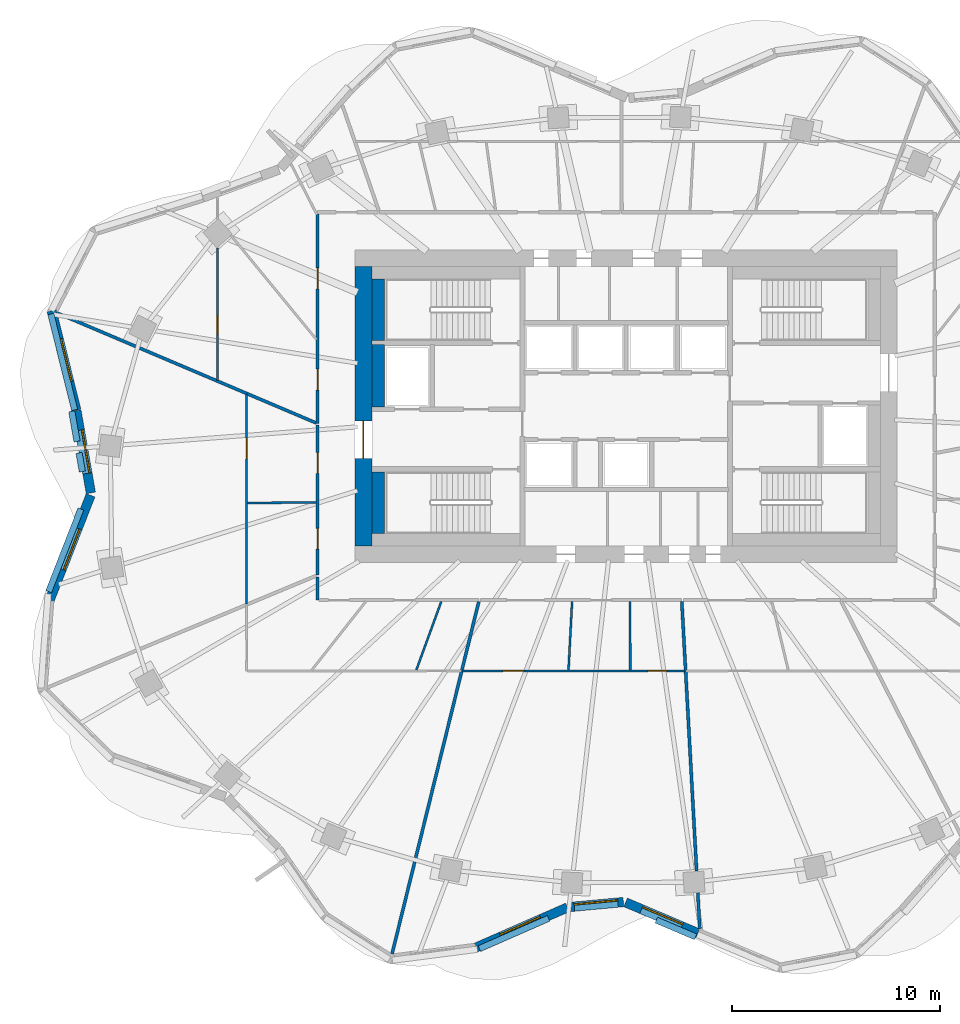
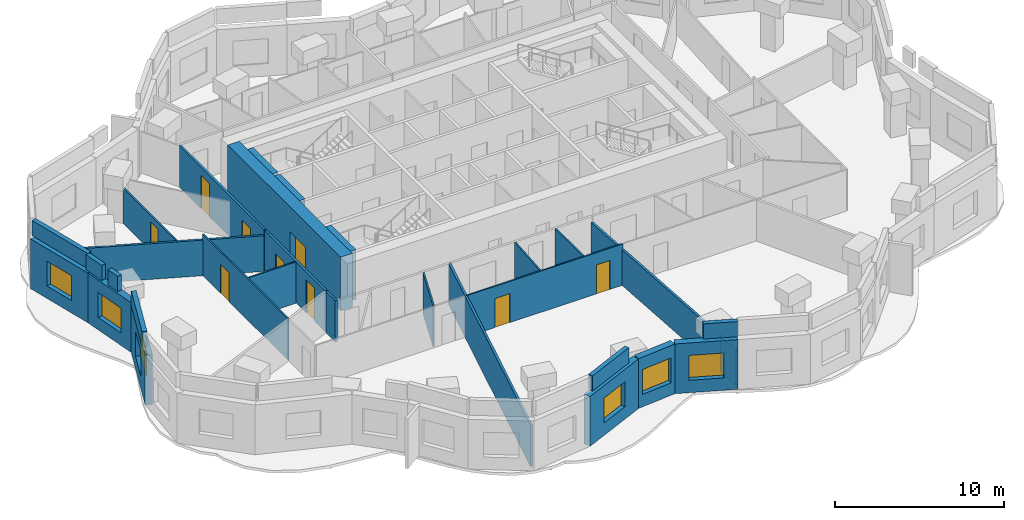
# One storey, part 4 of 11: 30 walls, 9 doors, 6 windows, 15 openings.
"""IFC4 building model written with IfcOpenShell, lengths in metres."""

from ifc_helpers import new_model, si_unit, direction, frame, frame_2d, origin, place, context, subcontext, project, spatial, rectangle, extrude, material, layer, layer_set, type_object, element, fill, save


model = new_model("IFC4")

# Units and contexts
model_context = context("Model", 3, precision=1e-05, world=origin(), true_north=direction((0.0, 1.0)))
body_context = subcontext(model_context, "Body", "Model", "MODEL_VIEW")
ifc_project = project(units=[si_unit("LENGTHUNIT", "METRE"), si_unit("AREAUNIT", "SQUARE_METRE"), si_unit("VOLUMEUNIT", "CUBIC_METRE"), si_unit("PLANEANGLEUNIT", "RADIAN"), si_unit("MASSUNIT", "GRAM", prefix="KILO")], contexts=[model_context])

# Site, building, storey
site_placement = place(None, origin())
site = spatial("IfcSite", under=ifc_project, at=site_placement, CompositionType="ELEMENT")
building_placement = place(site_placement, origin())
building = spatial("IfcBuilding", under=site, at=building_placement, Name="Rubra Terraces Tower", CompositionType="ELEMENT")
storey_placement = place(building_placement, frame((0.0, 0.0, 260.39990234375)))
storey = spatial("IfcBuildingStorey", under=building, at=storey_placement, Name="L64", CompositionType="ELEMENT", Elevation=260.39990234375)

# Wall, opening, window
ifc_material_1 = material(Name="Brick masonry red-brown", Category="masonry")
ifc_layer_1 = layer(ifc_material_1, 0.449951171875)
ifc_layer_set_1 = layer_set([ifc_layer_1], Name="Brick masonry red-brown")
wall_type_1 = type_object("IfcWallType", Name="Brick facade wall 450", PredefinedType="SOLIDWALL", material=ifc_layer_set_1)
wall_1_placement = place(storey_placement, frame((-27.552001953125, 9.07177734375, 0.0), z_axis=(0.0, 0.0, 1.0), x_axis=(0.240629941406, -0.970616933347, 0.0)))
wall_1 = element("IfcWall", 1, at=wall_1_placement, inside=storey, type_object=wall_type_1, Name="Facade wall L64 bay 19", PredefinedType="SOLIDWALL", context=body_context, shape_type="SweptSolid", body=[
    extrude(rectangle(XDim=4.91455078125, YDim=0.449951171875, at=frame_2d((2.457275390625, 0.0))), origin(), (0.0, 0.0, 1.0), 3.60009765625),
])
opening_1_placement = place(wall_1_placement, frame((1.407470703125, 0.0, 0.89990234375)))
opening_1 = element("IfcOpeningElement", 2, at=opening_1_placement, cuts=wall_1, Name="Opening W1Z", PredefinedType="OPENING", context=body_context, shape_type="SweptSolid", body=[
    extrude(rectangle(XDim=2.10009765625, YDim=1.800048828125, at=frame_2d((1.050048828125, 0.89990234375))), frame((0.0, 0.23486328125, 0.0), z_axis=(0.0, -1.0, 0.0), x_axis=(1.0, 0.0, 0.0)), (0.0, 0.0, 1.0), 0.469970703125),
])
ifc_material_2 = material(Name="Clear glass in aluminium frame", Category="aluminium")
window_type = type_object("IfcWindowType", Name="Fixed deep-set window under transfer level 2100 x 1800", PartitioningType="SINGLE_PANEL", PredefinedType="WINDOW", material=ifc_material_2)
window_1_placement = place(opening_1_placement, origin())
window_1 = element("IfcWindow", 3, at=window_1_placement, inside=storey, type_object=window_type, Name="Window L64 bay 19", OverallHeight=1.800048828125, OverallWidth=2.10009765625, PartitioningType="SINGLE_PANEL", PredefinedType="WINDOW", context=body_context, shape_type="SweptSolid", body=[
    extrude(rectangle(XDim=2.10009765625, YDim=1.800048828125, at=frame_2d((1.050048828125, 0.89990234375))), frame((0.0, 0.135009765625, 0.0), z_axis=(0.0, -1.0, 0.0), x_axis=(1.0, 0.0, 0.0)), (0.0, 0.0, 1.0), 0.06005859375),
])
fill(opening_1, window_1)

wall_2_placement = place(storey_placement, frame((-26.3662109375, 4.28466796875, 0.0), z_axis=(0.0, 0.0, 1.0), x_axis=(0.172902168926, -0.984939003178, 0.0)))
wall_2 = element("IfcWall", 4, at=wall_2_placement, inside=storey, type_object=wall_type_1, Name="Facade wall L64 bay 20", PredefinedType="SOLIDWALL", context=body_context, shape_type="SweptSolid", body=[
    extrude(rectangle(XDim=4.005859375, YDim=0.449951171875, at=frame_2d((2.0029296875, 0.0))), origin(), (0.0, 0.0, 1.0), 3.60009765625),
])
opening_2_placement = place(wall_2_placement, frame((0.952880859375, 0.0, 0.89990234375)))
opening_2 = element("IfcOpeningElement", 5, at=opening_2_placement, cuts=wall_2, Name="Opening W1Z", PredefinedType="OPENING", context=body_context, shape_type="SweptSolid", body=[
    extrude(rectangle(XDim=2.10009765625, YDim=1.800048828125, at=frame_2d((1.050048828125, 0.89990234375))), frame((0.0, 0.23486328125, 0.0), z_axis=(0.0, -1.0, 0.0), x_axis=(1.0, 0.0, 0.0)), (0.0, 0.0, 1.0), 0.469970703125),
])
window_2_placement = place(opening_2_placement, origin())
window_2 = element("IfcWindow", 6, at=window_2_placement, inside=storey, type_object=window_type, Name="Window L64 bay 20", OverallHeight=1.800048828125, OverallWidth=2.10009765625, PartitioningType="SINGLE_PANEL", PredefinedType="WINDOW", context=body_context, shape_type="SweptSolid", body=[
    extrude(rectangle(XDim=2.10009765625, YDim=1.800048828125, at=frame_2d((1.050048828125, 0.89990234375))), frame((0.0, 0.135009765625, 0.0), z_axis=(0.0, -1.0, 0.0), x_axis=(1.0, 0.0, 0.0)), (0.0, 0.0, 1.0), 0.06005859375),
])
fill(opening_2, window_2)

wall_3_placement = place(storey_placement, frame((-25.68701171875, 0.226318359375, 0.0), z_axis=(0.0, 0.0, 1.0), x_axis=(-0.363500194409, -0.931594122279, 0.0)))
wall_3 = element("IfcWall", 7, at=wall_3_placement, inside=storey, type_object=wall_type_1, Name="Facade wall L64 bay 21", PredefinedType="SOLIDWALL", context=body_context, shape_type="SweptSolid", body=[
    extrude(rectangle(XDim=5.498779296875, YDim=0.449951171875, at=frame_2d((2.74951171875, 0.0))), origin(), (0.0, 0.0, 1.0), 3.60009765625),
])
opening_3_placement = place(wall_3_placement, frame((1.69921875, 0.0, 0.89990234375)))
opening_3 = element("IfcOpeningElement", 8, at=opening_3_placement, cuts=wall_3, Name="Opening W1Z", PredefinedType="OPENING", context=body_context, shape_type="SweptSolid", body=[
    extrude(rectangle(XDim=2.10009765625, YDim=1.800048828125, at=frame_2d((1.050048828125, 0.89990234375))), frame((0.0, 0.23486328125, 0.0), z_axis=(0.0, -1.0, 0.0), x_axis=(1.0, 0.0, 0.0)), (0.0, 0.0, 1.0), 0.469970703125),
])
window_3_placement = place(opening_3_placement, origin())
window_3 = element("IfcWindow", 9, at=window_3_placement, inside=storey, type_object=window_type, Name="Window L64 bay 21", OverallHeight=1.800048828125, OverallWidth=2.10009765625, PartitioningType="SINGLE_PANEL", PredefinedType="WINDOW", context=body_context, shape_type="SweptSolid", body=[
    extrude(rectangle(XDim=2.10009765625, YDim=1.800048828125, at=frame_2d((1.050048828125, 0.89990234375))), frame((0.0, 0.135009765625, 0.0), z_axis=(0.0, -1.0, 0.0), x_axis=(1.0, 0.0, 0.0)), (0.0, 0.0, 1.0), 0.06005859375),
])
fill(opening_3, window_3)

wall_4_placement = place(storey_placement, frame((-7.27587890625, -21.498046875, 0.0), z_axis=(0.0, 0.0, 1.0), x_axis=(0.915872941312, 0.401468249519, 0.0)))
wall_4 = element("IfcWall", 10, at=wall_4_placement, inside=storey, type_object=wall_type_1, Name="Facade wall L64 bay 29", PredefinedType="SOLIDWALL", context=body_context, shape_type="SweptSolid", body=[
    extrude(rectangle(XDim=4.870361328125, YDim=0.449951171875, at=frame_2d((2.43505859375, 0.0))), origin(), (0.0, 0.0, 1.0), 3.60009765625),
])
opening_4_placement = place(wall_4_placement, frame((1.38525390625, 0.0, 0.89990234375)))
opening_4 = element("IfcOpeningElement", 11, at=opening_4_placement, cuts=wall_4, Name="Opening W1Z", PredefinedType="OPENING", context=body_context, shape_type="SweptSolid", body=[
    extrude(rectangle(XDim=2.10009765625, YDim=1.800048828125, at=frame_2d((1.050048828125, 0.89990234375))), frame((0.0, 0.23486328125, 0.0), z_axis=(0.0, -1.0, 0.0), x_axis=(1.0, 0.0, 0.0)), (0.0, 0.0, 1.0), 0.469970703125),
])
window_4_placement = place(opening_4_placement, origin())
window_4 = element("IfcWindow", 12, at=window_4_placement, inside=storey, type_object=window_type, Name="Window L64 bay 29", OverallHeight=1.800048828125, OverallWidth=2.10009765625, PartitioningType="SINGLE_PANEL", PredefinedType="WINDOW", context=body_context, shape_type="SweptSolid", body=[
    extrude(rectangle(XDim=2.10009765625, YDim=1.800048828125, at=frame_2d((1.050048828125, 0.89990234375))), frame((0.0, 0.135009765625, 0.0), z_axis=(0.0, -1.0, 0.0), x_axis=(1.0, 0.0, 0.0)), (0.0, 0.0, 1.0), 0.06005859375),
])
fill(opening_4, window_4)

wall_5_placement = place(storey_placement, frame((-2.745361328125, -19.52490234375, 0.0), z_axis=(0.0, 0.0, 1.0), x_axis=(0.995768774275, 0.091894222771, 0.0)))
wall_5 = element("IfcWall", 13, at=wall_5_placement, inside=storey, type_object=wall_type_1, Name="Facade wall L64 bay 30", PredefinedType="SOLIDWALL", context=body_context, shape_type="SweptSolid", body=[
    extrude(rectangle(XDim=2.624755859375, YDim=0.449951171875, at=frame_2d((1.3125, 0.0))), origin(), (0.0, 0.0, 1.0), 3.60009765625),
])
opening_5_placement = place(wall_5_placement, frame((0.262451171875, 0.0, 0.89990234375)))
opening_5 = element("IfcOpeningElement", 14, at=opening_5_placement, cuts=wall_5, Name="Opening W1Z", PredefinedType="OPENING", context=body_context, shape_type="SweptSolid", body=[
    extrude(rectangle(XDim=2.10009765625, YDim=1.800048828125, at=frame_2d((1.050048828125, 0.89990234375))), frame((0.0, 0.23486328125, 0.0), z_axis=(0.0, -1.0, 0.0), x_axis=(1.0, 0.0, 0.0)), (0.0, 0.0, 1.0), 0.469970703125),
])
window_5_placement = place(opening_5_placement, origin())
window_5 = element("IfcWindow", 15, at=window_5_placement, inside=storey, type_object=window_type, Name="Window L64 bay 30", OverallHeight=1.800048828125, OverallWidth=2.10009765625, PartitioningType="SINGLE_PANEL", PredefinedType="WINDOW", context=body_context, shape_type="SweptSolid", body=[
    extrude(rectangle(XDim=2.10009765625, YDim=1.800048828125, at=frame_2d((1.050048828125, 0.89990234375))), frame((0.0, 0.135009765625, 0.0), z_axis=(0.0, -1.0, 0.0), x_axis=(1.0, 0.0, 0.0)), (0.0, 0.0, 1.0), 0.06005859375),
])
fill(opening_5, window_5)

wall_6_placement = place(storey_placement, frame((-0.0263671875, -19.29931640625, 0.0), z_axis=(0.0, 0.0, 1.0), x_axis=(0.920040408927, -0.391823488245, 0.0)))
wall_6 = element("IfcWall", 16, at=wall_6_placement, inside=storey, type_object=wall_type_1, Name="Facade wall L64 bay 31", PredefinedType="SOLIDWALL", context=body_context, shape_type="SweptSolid", body=[
    extrude(rectangle(XDim=3.769775390625, YDim=0.449951171875, at=frame_2d((1.884765625, 0.0))), origin(), (0.0, 0.0, 1.0), 3.60009765625),
])
opening_6_placement = place(wall_6_placement, frame((0.8349609375, 0.0, 0.89990234375)))
opening_6 = element("IfcOpeningElement", 17, at=opening_6_placement, cuts=wall_6, Name="Opening W1Z", PredefinedType="OPENING", context=body_context, shape_type="SweptSolid", body=[
    extrude(rectangle(XDim=2.10009765625, YDim=1.800048828125, at=frame_2d((1.050048828125, 0.89990234375))), frame((0.0, 0.23486328125, 0.0), z_axis=(0.0, -1.0, 0.0), x_axis=(1.0, 0.0, 0.0)), (0.0, 0.0, 1.0), 0.469970703125),
])
window_6_placement = place(opening_6_placement, origin())
window_6 = element("IfcWindow", 18, at=window_6_placement, inside=storey, type_object=window_type, Name="Window L64 bay 31", OverallHeight=1.800048828125, OverallWidth=2.10009765625, PartitioningType="SINGLE_PANEL", PredefinedType="WINDOW", context=body_context, shape_type="SweptSolid", body=[
    extrude(rectangle(XDim=2.10009765625, YDim=1.800048828125, at=frame_2d((1.050048828125, 0.89990234375))), frame((0.0, 0.135009765625, 0.0), z_axis=(0.0, -1.0, 0.0), x_axis=(1.0, 0.0, 0.0)), (0.0, 0.0, 1.0), 0.06005859375),
])
fill(opening_6, window_6)

# Walls
ifc_layer_2 = layer(ifc_material_1, 0.300048828125)
ifc_layer_set_2 = layer_set([ifc_layer_2], Name="Brick masonry red-brown")
wall_type_2 = type_object("IfcWallType", Name="Brick parapet 300", PredefinedType="PARAPET", material=ifc_layer_set_2)
wall_7_placement = place(storey_placement, frame((-27.591796875, 8.9208984375, 3.900146484375), z_axis=(0.0, 0.0, 1.0), x_axis=(0.240669381496, -0.970607154729, 0.0)))
element("IfcWall", 19, at=wall_7_placement, inside=storey, type_object=wall_type_2, Name="Parapet L64 bay 19", PredefinedType="PARAPET", context=body_context, shape_type="SweptSolid", body=[
    extrude(rectangle(XDim=4.741455078125, YDim=0.300048828125, at=frame_2d((2.37060546875, 0.0))), origin(), (0.0, 0.0, 1.0), 1.099853515625),
])
wall_8_placement = place(storey_placement, frame((-26.589111328125, 4.253662109375, 3.900146484375), z_axis=(0.0, 0.0, 1.0), x_axis=(0.17277677015, -0.984961008211, 0.0)))
element("IfcWall", 20, at=wall_8_placement, inside=storey, type_object=wall_type_2, Name="Parapet L64 bay 20", PredefinedType="PARAPET", context=body_context, shape_type="SweptSolid", body=[
    extrude(rectangle(XDim=1.4638671875, YDim=0.300048828125, at=frame_2d((0.73193359375, 0.0))), origin(), (0.0, 0.0, 1.0), 1.099853515625),
])
wall_9_placement = place(storey_placement, frame((-26.2392578125, 2.260009765625, 3.900146484375), z_axis=(0.0, 0.0, 1.0), x_axis=(0.172849805857, -0.984948193874, 0.0)))
element("IfcWall", 21, at=wall_9_placement, inside=storey, type_object=wall_type_2, Name="Parapet L64 bay 20.2", PredefinedType="PARAPET", context=body_context, shape_type="SweptSolid", body=[
    extrude(rectangle(XDim=0.908203125, YDim=0.300048828125, at=frame_2d((0.4541015625, 0.0))), origin(), (0.0, 0.0, 1.0), 1.099853515625),
])
wall_10_placement = place(storey_placement, frame((-26.149658203125, -0.429443359375, 3.900146484375), z_axis=(0.0, 0.0, 1.0), x_axis=(-0.36347212441, -0.931605074469, 0.0)))
element("IfcWall", 22, at=wall_10_placement, inside=storey, type_object=wall_type_2, Name="Parapet L64 bay 21", PredefinedType="PARAPET", context=body_context, shape_type="SweptSolid", body=[
    extrude(rectangle(XDim=4.259765625, YDim=0.300048828125, at=frame_2d((2.1298828125, 0.0))), origin(), (0.0, 0.0, 1.0), 1.099853515625),
])
wall_11_placement = place(storey_placement, frame((-7.039306640625, -21.519287109375, 3.900146484375), z_axis=(0.0, 0.0, 1.0), x_axis=(0.915895948183, 0.401415759659, 0.0)))
element("IfcWall", 23, at=wall_11_placement, inside=storey, type_object=wall_type_2, Name="Parapet L64 bay 29", PredefinedType="PARAPET", context=body_context, shape_type="SweptSolid", body=[
    extrude(rectangle(XDim=3.62548828125, YDim=0.300048828125, at=frame_2d((1.812744140625, 0.0))), origin(), (0.0, 0.0, 1.0), 1.099853515625),
])
wall_12_placement = place(storey_placement, frame((1.44580078125, -20.14892578125, 3.900146484375), z_axis=(0.0, 0.0, 1.0), x_axis=(0.920058903695, -0.391780057854, 0.0)))
element("IfcWall", 24, at=wall_12_placement, inside=storey, type_object=wall_type_2, Name="Parapet L64 bay 31", PredefinedType="PARAPET", context=body_context, shape_type="SweptSolid", body=[
    extrude(rectangle(XDim=2.05322265625, YDim=0.300048828125, at=frame_2d((1.026611328125, 0.0))), origin(), (0.0, 0.0, 1.0), 1.099853515625),
])

# Wall, opening, door
ifc_material_3 = material(Name="Concrete C50", Category="concrete")
ifc_layer_3 = layer(ifc_material_3, 0.800048828125)
ifc_layer_set_3 = layer_set([ifc_layer_3], Name="Concrete C50")
wall_type_3 = type_object("IfcWallType", Name="CORE WALL 800 C50", PredefinedType="SHEAR", material=ifc_layer_set_3)
wall_13_placement = place(storey_placement, frame((-12.60009765625, -2.199951171875, 0.0), z_axis=(0.0, 0.0, 1.0), x_axis=(0.0, 1.0, 0.0)))
wall_13 = element("IfcWall", 25, at=wall_13_placement, inside=storey, type_object=wall_type_3, Name="CORE WALL W L64", PredefinedType="SHEAR", context=body_context, shape_type="SweptSolid", body=[
    extrude(rectangle(XDim=13.39990234375, YDim=0.800048828125, at=frame_2d((6.699951171875, 0.0))), origin(), (0.0, 0.0, 1.0), 3.900146484375),
])
opening_7_placement = place(wall_13_placement, frame((4.199951171875, 0.0, 0.0)))
opening_7 = element("IfcOpeningElement", 26, at=opening_7_placement, cuts=wall_13, Name="Opening L64.C01", PredefinedType="OPENING", context=body_context, shape_type="SweptSolid", body=[
    extrude(rectangle(XDim=1.800048828125, YDim=2.10009765625, at=frame_2d((0.89990234375, 1.050048828125))), frame((0.0, 0.409912109375, 0.0), z_axis=(0.0, -1.0, 0.0), x_axis=(1.0, 0.0, 0.0)), (0.0, 0.0, 1.0), 0.820068359375),
])
ifc_material_4 = material(Name="Painted steel", Category="steel")
door_type_1 = type_object("IfcDoorType", Name="Fire door 1800x2100 double", OperationType="NOTDEFINED", PredefinedType="DOOR", material=ifc_material_4)
door_1_placement = place(opening_7_placement, origin())
door_1 = element("IfcDoor", 27, at=door_1_placement, inside=storey, type_object=door_type_1, Name="Core entrance door FF1", OperationType="DOUBLE_DOOR_SINGLE_SWING", OverallHeight=2.10009765625, OverallWidth=1.800048828125, PredefinedType="DOOR", context=body_context, shape_type="SweptSolid", body=[
    extrude(rectangle(XDim=1.800048828125, YDim=2.10009765625, at=frame_2d((0.89990234375, 1.050048828125))), frame((0.0, 0.02490234375, 0.0), z_axis=(0.0, -1.0, 0.0), x_axis=(1.0, 0.0, 0.0)), (0.0, 0.0, 1.0), 0.050048828125),
])
fill(opening_7, door_1)

# Wall, openings, doors
ifc_material_5 = material(Name="Plasterboard on steel stud, mineral wool infill", Category="steel")
ifc_layer_4 = layer(ifc_material_5, 0.14990234375)
ifc_layer_set_4 = layer_set([ifc_layer_4], Name="Plasterboard on steel stud, mineral wool infill")
wall_type_4 = type_object("IfcWallType", Name="CORRIDOR PARTITION 150", PredefinedType="PARTITIONING", material=ifc_layer_set_4)
wall_14_placement = place(storey_placement, frame((-14.800048828125, 13.72509765625, 0.0), z_axis=(0.0, 0.0, 1.0), x_axis=(0.0, -1.0, 0.0)))
wall_14 = element("IfcWall", 28, at=wall_14_placement, inside=storey, type_object=wall_type_4, Name="PARTITION", PredefinedType="PARTITIONING", context=body_context, shape_type="SweptSolid", body=[
    extrude(rectangle(XDim=10.059326171875, YDim=0.14990234375, at=frame_2d((5.02978515625, 0.0))), origin(), (0.0, 0.0, 1.0), 2.984130859375),
])
opening_8_placement = place(wall_14_placement, frame((2.595947265625, 0.0, 0.0)))
opening_8 = element("IfcOpeningElement", 29, at=opening_8_placement, cuts=wall_14, Name="Opening 64-111", PredefinedType="OPENING", context=body_context, shape_type="SweptSolid", body=[
    extrude(rectangle(XDim=1.0, YDim=2.39990234375, at=frame_2d((0.5, 1.199951171875))), frame((0.0, 0.0849609375, 0.0), z_axis=(0.0, -1.0, 0.0), x_axis=(1.0, 0.0, 0.0)), (0.0, 0.0, 1.0), 0.169921875),
])
opening_9_placement = place(wall_14_placement, frame((7.449951171875, 0.0, 0.0)))
opening_9 = element("IfcOpeningElement", 30, at=opening_9_placement, cuts=wall_14, Name="Opening 64-136", PredefinedType="OPENING", context=body_context, shape_type="SweptSolid", body=[
    extrude(rectangle(XDim=1.0, YDim=2.10009765625, at=frame_2d((0.5, 1.050048828125))), frame((0.0, 0.0849609375, 0.0), z_axis=(0.0, -1.0, 0.0), x_axis=(1.0, 0.0, 0.0)), (0.0, 0.0, 1.0), 0.169921875),
])
ifc_material_6 = material(Name="Glazed aluminium meeting door leaf", Category="aluminium")
door_type_2 = type_object("IfcDoorType", Name="MEETING ROOM GLAZED DOOR 1000 X 2400", OperationType="SINGLE_SWING_LEFT", PredefinedType="DOOR", material=ifc_material_6)
door_2_placement = place(opening_8_placement, origin())
door_2 = element("IfcDoor", 31, at=door_2_placement, inside=storey, type_object=door_type_2, Name="DOOR 64-111", OperationType="SINGLE_SWING_RIGHT", OverallHeight=2.39990234375, OverallWidth=1.0, PredefinedType="DOOR", context=body_context, shape_type="SweptSolid", body=[
    extrude(rectangle(XDim=1.0, YDim=2.39990234375, at=frame_2d((0.5, 1.199951171875))), frame((0.0, 0.02490234375, 0.0), z_axis=(0.0, -1.0, 0.0), x_axis=(1.0, 0.0, 0.0)), (0.0, 0.0, 1.0), 0.050048828125),
])
fill(opening_8, door_2)
ifc_material_7 = material(Name="Painted timber door leaf", Category="wood")
door_type_3 = type_object("IfcDoorType", Name="ROOM DOOR 1000 X 2100", OperationType="SINGLE_SWING_LEFT", PredefinedType="DOOR", material=ifc_material_7)
door_3_placement = place(opening_9_placement, origin())
door_3 = element("IfcDoor", 32, at=door_3_placement, inside=storey, type_object=door_type_3, Name="DOOR 64-136", OperationType="SINGLE_SWING_RIGHT", OverallHeight=2.10009765625, OverallWidth=1.0, PredefinedType="DOOR", context=body_context, shape_type="SweptSolid", body=[
    extrude(rectangle(XDim=1.0, YDim=2.10009765625, at=frame_2d((0.5, 1.050048828125))), frame((0.0, 0.02490234375, 0.0), z_axis=(0.0, -1.0, 0.0), x_axis=(1.0, 0.0, 0.0)), (0.0, 0.0, 1.0), 0.050048828125),
])
fill(opening_9, door_3)

wall_15_placement = place(storey_placement, frame((-14.800048828125, 3.5908203125, 0.0), z_axis=(0.0, 0.0, 1.0), x_axis=(0.0, -1.0, 0.0)))
wall_15 = element("IfcWall", 33, at=wall_15_placement, inside=storey, type_object=wall_type_4, Name="PARTITION", PredefinedType="PARTITIONING", context=body_context, shape_type="SweptSolid", body=[
    extrude(rectangle(XDim=7.197021484375, YDim=0.14990234375, at=frame_2d((3.5986328125, 0.0))), origin(), (0.0, 0.0, 1.0), 2.984130859375),
])
opening_10_placement = place(wall_15_placement, frame((1.31591796875, 0.0, 0.0)))
opening_10 = element("IfcOpeningElement", 34, at=opening_10_placement, cuts=wall_15, Name="Opening 64-113", PredefinedType="OPENING", context=body_context, shape_type="SweptSolid", body=[
    extrude(rectangle(XDim=1.0, YDim=2.10009765625, at=frame_2d((0.5, 1.050048828125))), frame((0.0, 0.0849609375, 0.0), z_axis=(0.0, -1.0, 0.0), x_axis=(1.0, 0.0, 0.0)), (0.0, 0.0, 1.0), 0.169921875),
])
opening_11_placement = place(wall_15_placement, frame((4.950927734375, 0.0, 0.0)))
opening_11 = element("IfcOpeningElement", 35, at=opening_11_placement, cuts=wall_15, Name="Opening 64-115", PredefinedType="OPENING", context=body_context, shape_type="SweptSolid", body=[
    extrude(rectangle(XDim=1.0, YDim=2.39990234375, at=frame_2d((0.5, 1.199951171875))), frame((0.0, 0.0849609375, 0.0), z_axis=(0.0, -1.0, 0.0), x_axis=(1.0, 0.0, 0.0)), (0.0, 0.0, 1.0), 0.169921875),
])
door_4_placement = place(opening_11_placement, origin())
door_4 = element("IfcDoor", 36, at=door_4_placement, inside=storey, type_object=door_type_2, Name="DOOR 64-115", OperationType="SINGLE_SWING_RIGHT", OverallHeight=2.39990234375, OverallWidth=1.0, PredefinedType="DOOR", context=body_context, shape_type="SweptSolid", body=[
    extrude(rectangle(XDim=1.0, YDim=2.39990234375, at=frame_2d((0.5, 1.199951171875))), frame((0.0, 0.02490234375, 0.0), z_axis=(0.0, -1.0, 0.0), x_axis=(1.0, 0.0, 0.0)), (0.0, 0.0, 1.0), 0.050048828125),
])
fill(opening_11, door_4)
door_5_placement = place(opening_10_placement, origin())
door_5 = element("IfcDoor", 37, at=door_5_placement, inside=storey, type_object=door_type_3, Name="DOOR 64-113", OperationType="SINGLE_SWING_RIGHT", OverallHeight=2.10009765625, OverallWidth=1.0, PredefinedType="DOOR", context=body_context, shape_type="SweptSolid", body=[
    extrude(rectangle(XDim=1.0, YDim=2.10009765625, at=frame_2d((0.5, 1.050048828125))), frame((0.0, 0.02490234375, 0.0), z_axis=(0.0, -1.0, 0.0), x_axis=(1.0, 0.0, 0.0)), (0.0, 0.0, 1.0), 0.050048828125),
])
fill(opening_10, door_5)

# Walls
wall_16_placement = place(storey_placement, frame((-14.800048828125, -3.68115234375, 0.0), z_axis=(0.0, 0.0, 1.0), x_axis=(0.0, -1.0, 0.0)))
element("IfcWall", 38, at=wall_16_placement, inside=storey, type_object=wall_type_4, Name="PARTITION", PredefinedType="PARTITIONING", context=body_context, shape_type="SweptSolid", body=[
    extrude(rectangle(XDim=1.118896484375, YDim=0.14990234375, at=frame_2d((0.5595703125, 0.0))), origin(), (0.0, 0.0, 1.0), 2.984130859375),
])
ifc_material_8 = material(Name="Concrete C40", Category="concrete")
ifc_layer_5 = layer(ifc_material_8, 0.60009765625)
ifc_layer_set_5 = layer_set([ifc_layer_5], Name="Concrete C40")
wall_type_5 = type_object("IfcWallType", Name="Core lining wall 600 concrete", PredefinedType="SOLIDWALL", material=ifc_layer_set_5)
wall_17_placement = place(storey_placement, frame((-11.89990234375, -1.60009765625, 0.0), z_axis=(0.0, 0.0, 1.0), x_axis=(0.0, 1.0, 0.0)))
element("IfcWall", 39, at=wall_17_placement, inside=storey, type_object=wall_type_5, Name="CORE LINING WALL L64", PredefinedType="SOLIDWALL", context=body_context, shape_type="SweptSolid", body=[
    extrude(rectangle(XDim=2.9501953125, YDim=0.60009765625, at=frame_2d((1.47509765625, 0.0))), origin(), (0.0, 0.0, 1.0), 3.60009765625),
])
wall_18_placement = place(storey_placement, frame((-11.89990234375, 4.449951171875, 0.0), z_axis=(0.0, 0.0, 1.0), x_axis=(0.0, 1.0, 0.0)))
element("IfcWall", 40, at=wall_18_placement, inside=storey, type_object=wall_type_5, Name="CORE LINING WALL L64", PredefinedType="SOLIDWALL", context=body_context, shape_type="SweptSolid", body=[
    extrude(rectangle(XDim=3.0, YDim=0.60009765625, at=frame_2d((1.5, 0.0))), origin(), (0.0, 0.0, 1.0), 3.60009765625),
])
wall_19_placement = place(storey_placement, frame((-11.89990234375, 7.64990234375, 0.0), z_axis=(0.0, 0.0, 1.0), x_axis=(0.0, 1.0, 0.0)))
element("IfcWall", 41, at=wall_19_placement, inside=storey, type_object=wall_type_5, Name="CORE LINING WALL L64", PredefinedType="SOLIDWALL", context=body_context, shape_type="SweptSolid", body=[
    extrude(rectangle(XDim=2.9501953125, YDim=0.60009765625, at=frame_2d((1.47509765625, 0.0))), origin(), (0.0, 0.0, 1.0), 3.60009765625),
])

# Wall, opening, door
ifc_material_9 = material(Name="Plasterboard on steel stud", Category="steel")
ifc_layer_6 = layer(ifc_material_9, 0.10009765625)
ifc_layer_set_6 = layer_set([ifc_layer_6], Name="Plasterboard on steel stud")
wall_type_6 = type_object("IfcWallType", Name="ROOM PARTITION 100", PredefinedType="PARTITIONING", material=ifc_layer_set_6)
wall_20_placement = place(storey_placement, frame((-18.199951171875, -4.99853515625, 0.0), z_axis=(0.0, 0.0, 1.0), x_axis=(0.0, 1.0, 0.0)))
wall_20 = element("IfcWall", 42, at=wall_20_placement, inside=storey, type_object=wall_type_6, Name="PARTITION", PredefinedType="PARTITIONING", context=body_context, shape_type="SweptSolid", body=[
    extrude(rectangle(XDim=10.085205078125, YDim=0.10009765625, at=frame_2d((5.04248046875, 0.0))), origin(), (0.0, 0.0, 1.0), 2.984130859375),
])
opening_12_placement = place(wall_20_placement, frame((6.971923828125, 0.0, 0.0)))
opening_12 = element("IfcOpeningElement", 43, at=opening_12_placement, cuts=wall_20, Name="Opening 64-114", PredefinedType="OPENING", context=body_context, shape_type="SweptSolid", body=[
    extrude(rectangle(XDim=1.0, YDim=2.10009765625, at=frame_2d((0.5, 1.050048828125))), frame((0.0, 0.06005859375, 0.0), z_axis=(0.0, -1.0, 0.0), x_axis=(1.0, 0.0, 0.0)), (0.0, 0.0, 1.0), 0.1201171875),
])
door_6_placement = place(opening_12_placement, origin())
door_6 = element("IfcDoor", 44, at=door_6_placement, inside=storey, type_object=door_type_3, Name="DOOR 64-114", OperationType="SINGLE_SWING_LEFT", OverallHeight=2.10009765625, OverallWidth=1.0, PredefinedType="DOOR", context=body_context, shape_type="SweptSolid", body=[
    extrude(rectangle(XDim=1.0, YDim=2.10009765625, at=frame_2d((0.5, 1.050048828125))), frame((0.0, 0.02490234375, 0.0), z_axis=(0.0, -1.0, 0.0), x_axis=(1.0, 0.0, 0.0)), (0.0, 0.0, 1.0), 0.050048828125),
])
fill(opening_12, door_6)

# Walls
wall_21_placement = place(storey_placement, frame((-14.875, -0.115966796875, 0.0), z_axis=(0.0, 0.0, 1.0), x_axis=(-0.999964519709, -0.008423735704, 0.0)))
element("IfcWall", 45, at=wall_21_placement, inside=storey, type_object=wall_type_6, Name="PARTITION", PredefinedType="PARTITIONING", context=body_context, shape_type="SweptSolid", body=[
    extrude(rectangle(XDim=3.27490234375, YDim=0.10009765625, at=frame_2d((1.637451171875, 0.0))), origin(), (0.0, 0.0, 1.0), 2.984130859375),
])
wall_22_placement = place(storey_placement, frame((-8.866455078125, -4.87060546875, 0.0), z_axis=(0.0, 0.0, 1.0), x_axis=(-0.342292896457, -0.939593301932, 0.0)))
element("IfcWall", 46, at=wall_22_placement, inside=storey, type_object=wall_type_6, Name="PARTITION", PredefinedType="PARTITIONING", context=body_context, shape_type="SweptSolid", body=[
    extrude(rectangle(XDim=3.493408203125, YDim=0.10009765625, at=frame_2d((1.74658203125, 0.0))), origin(), (0.0, 0.0, 1.0), 2.984130859375),
])

# Wall, openings, doors
wall_23_placement = place(storey_placement, frame((2.832763671875, -8.199951171875, 0.0), z_axis=(0.0, 0.0, 1.0), x_axis=(-1.0, 0.0, 0.0)))
wall_23 = element("IfcWall", 47, at=wall_23_placement, inside=storey, type_object=wall_type_6, Name="PARTITION", PredefinedType="PARTITIONING", context=body_context, shape_type="SweptSolid", body=[
    extrude(rectangle(XDim=10.697998046875, YDim=0.10009765625, at=frame_2d((5.34912109375, 0.0))), origin(), (0.0, 0.0, 1.0), 2.984130859375),
])
opening_13_placement = place(wall_23_placement, frame((7.748046875, 0.0, 0.0)))
opening_13 = element("IfcOpeningElement", 48, at=opening_13_placement, cuts=wall_23, Name="Opening 64-121", PredefinedType="OPENING", context=body_context, shape_type="SweptSolid", body=[
    extrude(rectangle(XDim=1.0, YDim=2.10009765625, at=frame_2d((0.5, 1.050048828125))), frame((0.0, 0.06005859375, 0.0), z_axis=(0.0, -1.0, 0.0), x_axis=(1.0, 0.0, 0.0)), (0.0, 0.0, 1.0), 0.1201171875),
])
opening_14_placement = place(wall_23_placement, frame((0.89501953125, 0.0, 0.0)))
opening_14 = element("IfcOpeningElement", 49, at=opening_14_placement, cuts=wall_23, Name="Opening 64-123", PredefinedType="OPENING", context=body_context, shape_type="SweptSolid", body=[
    extrude(rectangle(XDim=0.89990234375, YDim=2.10009765625, at=frame_2d((0.449951171875, 1.050048828125))), frame((0.0, 0.06005859375, 0.0), z_axis=(0.0, -1.0, 0.0), x_axis=(1.0, 0.0, 0.0)), (0.0, 0.0, 1.0), 0.1201171875),
])
door_7_placement = place(opening_13_placement, origin())
door_7 = element("IfcDoor", 50, at=door_7_placement, inside=storey, type_object=door_type_3, Name="DOOR 64-121", OperationType="SINGLE_SWING_LEFT", OverallHeight=2.10009765625, OverallWidth=1.0, PredefinedType="DOOR", context=body_context, shape_type="SweptSolid", body=[
    extrude(rectangle(XDim=1.0, YDim=2.10009765625, at=frame_2d((0.5, 1.050048828125))), frame((0.0, 0.02490234375, 0.0), z_axis=(0.0, -1.0, 0.0), x_axis=(1.0, 0.0, 0.0)), (0.0, 0.0, 1.0), 0.050048828125),
])
fill(opening_13, door_7)
door_type_4 = type_object("IfcDoorType", Name="ROOM DOOR 900 X 2100", OperationType="SINGLE_SWING_LEFT", PredefinedType="DOOR", material=ifc_material_7)
door_8_placement = place(opening_14_placement, origin())
door_8 = element("IfcDoor", 51, at=door_8_placement, inside=storey, type_object=door_type_4, Name="DOOR 64-123", OperationType="SINGLE_SWING_LEFT", OverallHeight=2.10009765625, OverallWidth=0.89990234375, PredefinedType="DOOR", context=body_context, shape_type="SweptSolid", body=[
    extrude(rectangle(XDim=0.89990234375, YDim=2.10009765625, at=frame_2d((0.449951171875, 1.050048828125))), frame((0.0, 0.02490234375, 0.0), z_axis=(0.0, -1.0, 0.0), x_axis=(1.0, 0.0, 0.0)), (0.0, 0.0, 1.0), 0.050048828125),
])
fill(opening_14, door_8)

# Walls
wall_24_placement = place(storey_placement, frame((-2.592041015625, -4.875, 0.0), z_axis=(0.0, 0.0, 1.0), x_axis=(-0.05240645469, -0.998625837592, 0.0)))
element("IfcWall", 52, at=wall_24_placement, inside=storey, type_object=wall_type_6, Name="PARTITION", PredefinedType="PARTITIONING", context=body_context, shape_type="SweptSolid", body=[
    extrude(rectangle(XDim=3.279541015625, YDim=0.10009765625, at=frame_2d((1.6396484375, 0.0))), origin(), (0.0, 0.0, 1.0), 2.984130859375),
])
wall_25_placement = place(storey_placement, frame((0.18994140625, -4.875, 0.0), z_axis=(0.0, 0.0, 1.0), x_axis=(0.002534657133, -0.999996787751, 0.0)))
element("IfcWall", 53, at=wall_25_placement, inside=storey, type_object=wall_type_6, Name="PARTITION", PredefinedType="PARTITIONING", context=body_context, shape_type="SweptSolid", body=[
    extrude(rectangle(XDim=3.27490234375, YDim=0.10009765625, at=frame_2d((1.637451171875, 0.0))), origin(), (0.0, 0.0, 1.0), 2.984130859375),
])

# Wall, opening, door
ifc_layer_7 = layer(ifc_material_9, 0.10009765625)
ifc_layer_set_7 = layer_set([ifc_layer_7], Name="Plasterboard on steel stud")
wall_type_7 = type_object("IfcWallType", Name="ROOM PARTITION 100 LOW HEAD", PredefinedType="PARTITIONING", material=ifc_layer_set_7)
wall_26_placement = place(storey_placement, frame((-19.60009765625, 5.72412109375, 0.0), z_axis=(0.0, 0.0, 1.0), x_axis=(0.0, 1.0, 0.0)))
wall_26 = element("IfcWall", 54, at=wall_26_placement, inside=storey, type_object=wall_type_7, Name="PARTITION", PredefinedType="PARTITIONING", context=body_context, shape_type="SweptSolid", body=[
    extrude(rectangle(XDim=6.360595703125, YDim=0.10009765625, at=frame_2d((3.18017578125, 0.0))), origin(), (0.0, 0.0, 1.0), 2.580078125),
])
opening_15_placement = place(wall_26_placement, frame((2.216064453125, 0.0, 0.0)))
opening_15 = element("IfcOpeningElement", 55, at=opening_15_placement, cuts=wall_26, Name="Opening 64-112", PredefinedType="OPENING", context=body_context, shape_type="SweptSolid", body=[
    extrude(rectangle(XDim=0.89990234375, YDim=2.10009765625, at=frame_2d((0.449951171875, 1.050048828125))), frame((0.0, 0.06005859375, 0.0), z_axis=(0.0, -1.0, 0.0), x_axis=(1.0, 0.0, 0.0)), (0.0, 0.0, 1.0), 0.1201171875),
])
door_9_placement = place(opening_15_placement, origin())
door_9 = element("IfcDoor", 56, at=door_9_placement, inside=storey, type_object=door_type_4, Name="DOOR 64-112", OperationType="SINGLE_SWING_LEFT", OverallHeight=2.10009765625, OverallWidth=0.89990234375, PredefinedType="DOOR", context=body_context, shape_type="SweptSolid", body=[
    extrude(rectangle(XDim=0.89990234375, YDim=2.10009765625, at=frame_2d((0.449951171875, 1.050048828125))), frame((0.0, 0.02490234375, 0.0), z_axis=(0.0, -1.0, 0.0), x_axis=(1.0, 0.0, 0.0)), (0.0, 0.0, 1.0), 0.050048828125),
])
fill(opening_15, door_9)

# Walls
ifc_layer_8 = layer(ifc_material_9, 0.14990234375)
ifc_layer_set_8 = layer_set([ifc_layer_8], Name="Plasterboard on steel stud")
wall_type_8 = type_object("IfcWallType", Name="ROOM PARTITION 150", PredefinedType="PARTITIONING", material=ifc_layer_set_8)
wall_27_placement = place(storey_placement, frame((-11.2265625, -21.769287109375, 0.0), z_axis=(0.0, 0.0, 1.0), x_axis=(0.239061175175, 0.971004507983, 0.0)))
element("IfcWall", 57, at=wall_27_placement, inside=storey, type_object=wall_type_8, Name="PARTITION", PredefinedType="PARTITIONING", context=body_context, shape_type="SweptSolid", body=[
    extrude(rectangle(XDim=17.401123046875, YDim=0.14990234375, at=frame_2d((8.70068359375, 0.0))), origin(), (0.0, 0.0, 1.0), 2.984130859375),
])
ifc_layer_9 = layer(ifc_material_9, 0.14990234375)
ifc_layer_set_9 = layer_set([ifc_layer_9], Name="Plasterboard on steel stud")
wall_type_9 = type_object("IfcWallType", Name="ROOM PARTITION 150 LOW HEAD", PredefinedType="PARTITIONING", material=ifc_layer_set_9)
wall_28_placement = place(storey_placement, frame((-27.289794921875, 8.965087890625, 0.0), z_axis=(0.0, 0.0, 1.0), x_axis=(0.920567193119, -0.390584232854, 0.0)))
element("IfcWall", 58, at=wall_28_placement, inside=storey, type_object=wall_type_9, Name="PARTITION", PredefinedType="PARTITIONING", context=body_context, shape_type="SweptSolid", body=[
    extrude(rectangle(XDim=13.49267578125, YDim=0.14990234375, at=frame_2d((6.746337890625, 0.0))), origin(), (0.0, 0.0, 1.0), 2.580078125),
])
wall_29_placement = place(storey_placement, frame((3.5322265625, -20.56591796875, 0.0), z_axis=(0.0, 0.0, 1.0), x_axis=(-0.054930375168, 0.998490187175, 0.0)))
element("IfcWall", 59, at=wall_29_placement, inside=storey, type_object=wall_type_9, Name="PARTITION", PredefinedType="PARTITIONING", context=body_context, shape_type="SweptSolid", body=[
    extrude(rectangle(XDim=1.72900390625, YDim=0.14990234375, at=frame_2d((0.864501953125, 0.0))), origin(), (0.0, 0.0, 1.0), 2.580078125),
])
wall_30_placement = place(storey_placement, frame((3.38037109375, -17.801025390625, 0.0), z_axis=(0.0, 0.0, 1.0), x_axis=(-0.054879866406, 0.998492964554, 0.0)))
element("IfcWall", 60, at=wall_30_placement, inside=storey, type_object=wall_type_9, Name="PARTITION", PredefinedType="PARTITIONING", context=body_context, shape_type="SweptSolid", body=[
    extrude(rectangle(XDim=12.945556640625, YDim=0.14990234375, at=frame_2d((6.47265625, 0.0))), origin(), (0.0, 0.0, 1.0), 2.580078125),
])

save(model, "model.ifc")
